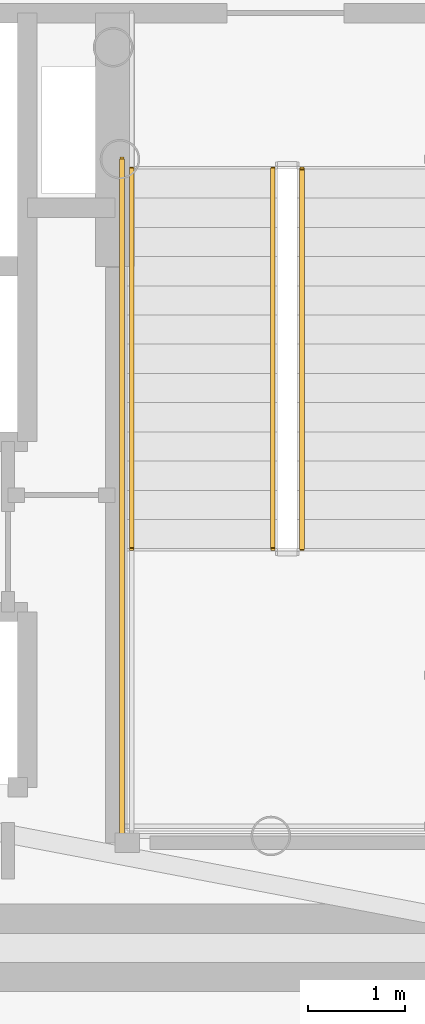
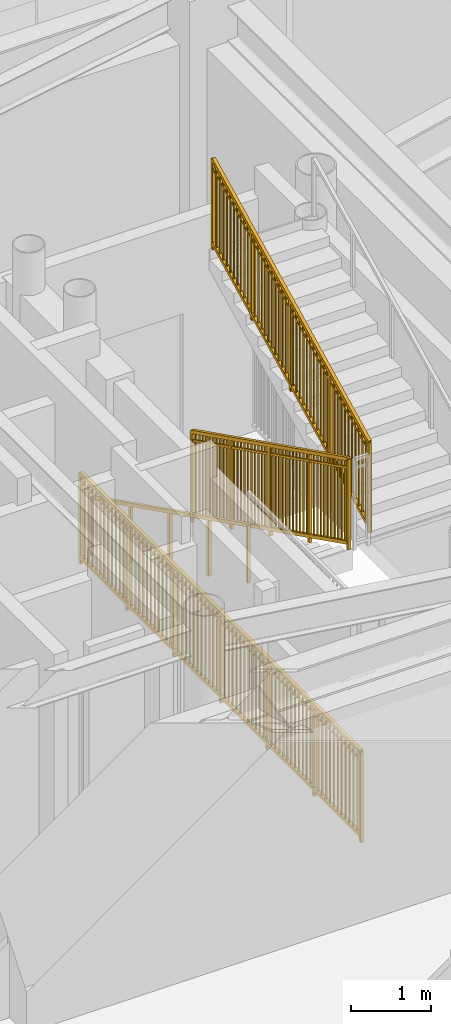
# One storey, part 18 of 20: 4 railings.
"""IFC4 building model written with IfcOpenShell, lengths in metres."""

from ifc_helpers import new_model, si_unit, direction, frame, origin, origin_2d, place, context, subcontext, project, spatial, rectangle, extrude, source, transform, mapped, material, type_object, element, save


model = new_model("IFC4")

# Units and contexts
model_context = context("Model", 3, precision=1e-05, world=origin(), true_north=direction((0.0, 1.0)))
body_context = subcontext(model_context, "Body", "Model", "MODEL_VIEW")
ifc_project = project(units=[si_unit("LENGTHUNIT", "METRE"), si_unit("AREAUNIT", "SQUARE_METRE"), si_unit("VOLUMEUNIT", "CUBIC_METRE"), si_unit("PLANEANGLEUNIT", "RADIAN"), si_unit("MASSUNIT", "GRAM", prefix="KILO")], contexts=[model_context])

# Site, building, storey
site_placement = place(None, origin())
site = spatial("IfcSite", under=ifc_project, at=site_placement, CompositionType="ELEMENT")
building_placement = place(site_placement, origin())
building = spatial("IfcBuilding", under=site, at=building_placement, Name="Linh Dai School and Residence Tower", CompositionType="ELEMENT")
storey_placement = place(building_placement, frame((0.0, 0.0, 66.0)))
storey = spatial("IfcBuildingStorey", under=building, at=storey_placement, Name="L15", CompositionType="ELEMENT", Elevation=66.0)

# Railings
ifc_material_1 = material(Name="Structural Steel S355JR", Category="steel")
railing_type_1 = type_object("IfcRailingType", Name="RL-ST-GUARD-1400", PredefinedType="GUARDRAIL", material=ifc_material_1)
shared_shape_1 = source(origin(), body_context, "Body", "SweptSolid", [
    extrude(rectangle(XDim=0.048095703125, YDim=0.048095703125, at=origin_2d()), frame((0.0, 0.0, 1.3759765625), z_axis=(0.0, -1.0, 0.0), x_axis=(1.0, 0.0, 0.0)), (0.0, 0.0, 1.0), 7.0),
    extrude(rectangle(XDim=0.048095703125, YDim=0.048095703125, at=origin_2d()), frame((0.0, 0.0, 0.10009765625), z_axis=(0.0, -1.0, 0.0), x_axis=(1.0, 0.0, 0.0)), (0.0, 0.0, 1.0), 7.0),
    extrude(rectangle(XDim=0.030029296875, YDim=0.030029296875, at=origin_2d()), frame((0.0, 0.0, 1.239990234375), z_axis=(0.0, -1.0, 0.0), x_axis=(1.0, 0.0, 0.0)), (0.0, 0.0, 1.0), 7.0),
    extrude(rectangle(XDim=0.02001953125, YDim=0.02001953125, at=origin_2d()), frame((0.0, -0.09716796875, 0.10009765625)), (0.0, 0.0, 1.0), 1.251708984375),
    extrude(rectangle(XDim=0.02001953125, YDim=0.02001953125, at=origin_2d()), frame((0.0, -0.1943359375, 0.10009765625)), (0.0, 0.0, 1.0), 1.251708984375),
    extrude(rectangle(XDim=0.02001953125, YDim=0.02001953125, at=origin_2d()), frame((0.0, -0.291748046875, 0.10009765625)), (0.0, 0.0, 1.0), 1.251708984375),
    extrude(rectangle(XDim=0.02001953125, YDim=0.02001953125, at=origin_2d()), frame((0.0, -0.388916015625, 0.10009765625)), (0.0, 0.0, 1.0), 1.251708984375),
    extrude(rectangle(XDim=0.02001953125, YDim=0.02001953125, at=origin_2d()), frame((0.0, -0.486083984375, 0.10009765625)), (0.0, 0.0, 1.0), 1.251708984375),
    extrude(rectangle(XDim=0.02001953125, YDim=0.02001953125, at=origin_2d()), frame((0.0, -0.583251953125, 0.10009765625)), (0.0, 0.0, 1.0), 1.251708984375),
    extrude(rectangle(XDim=0.02001953125, YDim=0.02001953125, at=origin_2d()), frame((0.0, -0.6806640625, 0.10009765625)), (0.0, 0.0, 1.0), 1.251708984375),
    extrude(rectangle(XDim=0.02001953125, YDim=0.02001953125, at=origin_2d()), frame((0.0, -0.77783203125, 0.10009765625)), (0.0, 0.0, 1.0), 1.251708984375),
    extrude(rectangle(XDim=0.02001953125, YDim=0.02001953125, at=origin_2d()), frame((0.0, -0.875, 0.10009765625)), (0.0, 0.0, 1.0), 1.251708984375),
    extrude(rectangle(XDim=0.02001953125, YDim=0.02001953125, at=origin_2d()), frame((0.0, -0.97216796875, 0.10009765625)), (0.0, 0.0, 1.0), 1.251708984375),
    extrude(rectangle(XDim=0.02001953125, YDim=0.02001953125, at=origin_2d()), frame((0.0, -1.0693359375, 0.10009765625)), (0.0, 0.0, 1.0), 1.251708984375),
    extrude(rectangle(XDim=0.02001953125, YDim=0.02001953125, at=origin_2d()), frame((0.0, -1.263916015625, 0.10009765625)), (0.0, 0.0, 1.0), 1.251708984375),
    extrude(rectangle(XDim=0.02001953125, YDim=0.02001953125, at=origin_2d()), frame((0.0, -1.361083984375, 0.10009765625)), (0.0, 0.0, 1.0), 1.251708984375),
    extrude(rectangle(XDim=0.02001953125, YDim=0.02001953125, at=origin_2d()), frame((0.0, -1.458251953125, 0.10009765625)), (0.0, 0.0, 1.0), 1.251708984375),
    extrude(rectangle(XDim=0.02001953125, YDim=0.02001953125, at=origin_2d()), frame((0.0, -1.5556640625, 0.10009765625)), (0.0, 0.0, 1.0), 1.251708984375),
    extrude(rectangle(XDim=0.02001953125, YDim=0.02001953125, at=origin_2d()), frame((0.0, -1.65283203125, 0.10009765625)), (0.0, 0.0, 1.0), 1.251708984375),
    extrude(rectangle(XDim=0.02001953125, YDim=0.02001953125, at=origin_2d()), frame((0.0, -1.75, 0.10009765625)), (0.0, 0.0, 1.0), 1.251708984375),
    extrude(rectangle(XDim=0.02001953125, YDim=0.02001953125, at=origin_2d()), frame((0.0, -1.84716796875, 0.10009765625)), (0.0, 0.0, 1.0), 1.251708984375),
    extrude(rectangle(XDim=0.02001953125, YDim=0.02001953125, at=origin_2d()), frame((0.0, -1.9443359375, 0.10009765625)), (0.0, 0.0, 1.0), 1.251708984375),
    extrude(rectangle(XDim=0.02001953125, YDim=0.02001953125, at=origin_2d()), frame((0.0, -2.041748046875, 0.10009765625)), (0.0, 0.0, 1.0), 1.251708984375),
    extrude(rectangle(XDim=0.02001953125, YDim=0.02001953125, at=origin_2d()), frame((0.0, -2.138916015625, 0.10009765625)), (0.0, 0.0, 1.0), 1.251708984375),
    extrude(rectangle(XDim=0.02001953125, YDim=0.02001953125, at=origin_2d()), frame((0.0, -2.236083984375, 0.10009765625)), (0.0, 0.0, 1.0), 1.251708984375),
    extrude(rectangle(XDim=0.02001953125, YDim=0.02001953125, at=origin_2d()), frame((0.0, -2.4306640625, 0.10009765625)), (0.0, 0.0, 1.0), 1.251708984375),
    extrude(rectangle(XDim=0.02001953125, YDim=0.02001953125, at=origin_2d()), frame((0.0, -2.52783203125, 0.10009765625)), (0.0, 0.0, 1.0), 1.251708984375),
    extrude(rectangle(XDim=0.02001953125, YDim=0.02001953125, at=origin_2d()), frame((0.0, -2.625, 0.10009765625)), (0.0, 0.0, 1.0), 1.251708984375),
    extrude(rectangle(XDim=0.02001953125, YDim=0.02001953125, at=origin_2d()), frame((0.0, -2.72216796875, 0.10009765625)), (0.0, 0.0, 1.0), 1.251708984375),
    extrude(rectangle(XDim=0.02001953125, YDim=0.02001953125, at=origin_2d()), frame((0.0, -2.8193359375, 0.10009765625)), (0.0, 0.0, 1.0), 1.251708984375),
    extrude(rectangle(XDim=0.02001953125, YDim=0.02001953125, at=origin_2d()), frame((0.0, -2.916748046875, 0.10009765625)), (0.0, 0.0, 1.0), 1.251708984375),
    extrude(rectangle(XDim=0.02001953125, YDim=0.02001953125, at=origin_2d()), frame((0.0, -3.013916015625, 0.10009765625)), (0.0, 0.0, 1.0), 1.251708984375),
    extrude(rectangle(XDim=0.02001953125, YDim=0.02001953125, at=origin_2d()), frame((0.0, -3.111083984375, 0.10009765625)), (0.0, 0.0, 1.0), 1.251708984375),
    extrude(rectangle(XDim=0.02001953125, YDim=0.02001953125, at=origin_2d()), frame((0.0, -3.208251953125, 0.10009765625)), (0.0, 0.0, 1.0), 1.251708984375),
    extrude(rectangle(XDim=0.02001953125, YDim=0.02001953125, at=origin_2d()), frame((0.0, -3.3056640625, 0.10009765625)), (0.0, 0.0, 1.0), 1.251708984375),
    extrude(rectangle(XDim=0.02001953125, YDim=0.02001953125, at=origin_2d()), frame((0.0, -3.40283203125, 0.10009765625)), (0.0, 0.0, 1.0), 1.251708984375),
    extrude(rectangle(XDim=0.02001953125, YDim=0.02001953125, at=origin_2d()), frame((0.0, -3.59716796875, 0.10009765625)), (0.0, 0.0, 1.0), 1.251708984375),
    extrude(rectangle(XDim=0.02001953125, YDim=0.02001953125, at=origin_2d()), frame((0.0, -3.6943359375, 0.10009765625)), (0.0, 0.0, 1.0), 1.251708984375),
    extrude(rectangle(XDim=0.02001953125, YDim=0.02001953125, at=origin_2d()), frame((0.0, -3.791748046875, 0.10009765625)), (0.0, 0.0, 1.0), 1.251708984375),
    extrude(rectangle(XDim=0.02001953125, YDim=0.02001953125, at=origin_2d()), frame((0.0, -3.888916015625, 0.10009765625)), (0.0, 0.0, 1.0), 1.251708984375),
    extrude(rectangle(XDim=0.02001953125, YDim=0.02001953125, at=origin_2d()), frame((0.0, -3.986083984375, 0.10009765625)), (0.0, 0.0, 1.0), 1.251708984375),
    extrude(rectangle(XDim=0.02001953125, YDim=0.02001953125, at=origin_2d()), frame((0.0, -4.083251953125, 0.10009765625)), (0.0, 0.0, 1.0), 1.251708984375),
    extrude(rectangle(XDim=0.02001953125, YDim=0.02001953125, at=origin_2d()), frame((0.0, -4.1806640625, 0.10009765625)), (0.0, 0.0, 1.0), 1.251708984375),
    extrude(rectangle(XDim=0.02001953125, YDim=0.02001953125, at=origin_2d()), frame((0.0, -4.27783203125, 0.10009765625)), (0.0, 0.0, 1.0), 1.251708984375),
    extrude(rectangle(XDim=0.02001953125, YDim=0.02001953125, at=origin_2d()), frame((0.0, -4.375, 0.10009765625)), (0.0, 0.0, 1.0), 1.251708984375),
    extrude(rectangle(XDim=0.02001953125, YDim=0.02001953125, at=origin_2d()), frame((0.0, -4.47216796875, 0.10009765625)), (0.0, 0.0, 1.0), 1.251708984375),
    extrude(rectangle(XDim=0.02001953125, YDim=0.02001953125, at=origin_2d()), frame((0.0, -4.5693359375, 0.10009765625)), (0.0, 0.0, 1.0), 1.251708984375),
    extrude(rectangle(XDim=0.02001953125, YDim=0.02001953125, at=origin_2d()), frame((0.0, -4.763916015625, 0.10009765625)), (0.0, 0.0, 1.0), 1.251708984375),
    extrude(rectangle(XDim=0.02001953125, YDim=0.02001953125, at=origin_2d()), frame((0.0, -4.861083984375, 0.10009765625)), (0.0, 0.0, 1.0), 1.251708984375),
    extrude(rectangle(XDim=0.02001953125, YDim=0.02001953125, at=origin_2d()), frame((0.0, -4.958251953125, 0.10009765625)), (0.0, 0.0, 1.0), 1.251708984375),
    extrude(rectangle(XDim=0.02001953125, YDim=0.02001953125, at=origin_2d()), frame((0.0, -5.0556640625, 0.10009765625)), (0.0, 0.0, 1.0), 1.251708984375),
    extrude(rectangle(XDim=0.02001953125, YDim=0.02001953125, at=origin_2d()), frame((0.0, -5.15283203125, 0.10009765625)), (0.0, 0.0, 1.0), 1.251708984375),
    extrude(rectangle(XDim=0.02001953125, YDim=0.02001953125, at=origin_2d()), frame((0.0, -5.25, 0.10009765625)), (0.0, 0.0, 1.0), 1.251708984375),
    extrude(rectangle(XDim=0.02001953125, YDim=0.02001953125, at=origin_2d()), frame((0.0, -5.34716796875, 0.10009765625)), (0.0, 0.0, 1.0), 1.251708984375),
    extrude(rectangle(XDim=0.02001953125, YDim=0.02001953125, at=origin_2d()), frame((0.0, -5.4443359375, 0.10009765625)), (0.0, 0.0, 1.0), 1.251708984375),
    extrude(rectangle(XDim=0.02001953125, YDim=0.02001953125, at=origin_2d()), frame((0.0, -5.541748046875, 0.10009765625)), (0.0, 0.0, 1.0), 1.251708984375),
    extrude(rectangle(XDim=0.02001953125, YDim=0.02001953125, at=origin_2d()), frame((0.0, -5.638916015625, 0.10009765625)), (0.0, 0.0, 1.0), 1.251708984375),
    extrude(rectangle(XDim=0.02001953125, YDim=0.02001953125, at=origin_2d()), frame((0.0, -5.736083984375, 0.10009765625)), (0.0, 0.0, 1.0), 1.251708984375),
    extrude(rectangle(XDim=0.02001953125, YDim=0.02001953125, at=origin_2d()), frame((0.0, -5.9306640625, 0.10009765625)), (0.0, 0.0, 1.0), 1.251708984375),
    extrude(rectangle(XDim=0.02001953125, YDim=0.02001953125, at=origin_2d()), frame((0.0, -6.02783203125, 0.10009765625)), (0.0, 0.0, 1.0), 1.251708984375),
    extrude(rectangle(XDim=0.02001953125, YDim=0.02001953125, at=origin_2d()), frame((0.0, -6.125, 0.10009765625)), (0.0, 0.0, 1.0), 1.251708984375),
    extrude(rectangle(XDim=0.02001953125, YDim=0.02001953125, at=origin_2d()), frame((0.0, -6.22216796875, 0.10009765625)), (0.0, 0.0, 1.0), 1.251708984375),
    extrude(rectangle(XDim=0.02001953125, YDim=0.02001953125, at=origin_2d()), frame((0.0, -6.3193359375, 0.10009765625)), (0.0, 0.0, 1.0), 1.251708984375),
    extrude(rectangle(XDim=0.02001953125, YDim=0.02001953125, at=origin_2d()), frame((0.0, -6.416748046875, 0.10009765625)), (0.0, 0.0, 1.0), 1.251708984375),
    extrude(rectangle(XDim=0.02001953125, YDim=0.02001953125, at=origin_2d()), frame((0.0, -6.513916015625, 0.10009765625)), (0.0, 0.0, 1.0), 1.251708984375),
    extrude(rectangle(XDim=0.02001953125, YDim=0.02001953125, at=origin_2d()), frame((0.0, -6.611083984375, 0.10009765625)), (0.0, 0.0, 1.0), 1.251708984375),
    extrude(rectangle(XDim=0.02001953125, YDim=0.02001953125, at=origin_2d()), frame((0.0, -6.708251953125, 0.10009765625)), (0.0, 0.0, 1.0), 1.251708984375),
    extrude(rectangle(XDim=0.02001953125, YDim=0.02001953125, at=origin_2d()), frame((0.0, -6.8056640625, 0.10009765625)), (0.0, 0.0, 1.0), 1.251708984375),
    extrude(rectangle(XDim=0.02001953125, YDim=0.02001953125, at=origin_2d()), frame((0.0, -6.90283203125, 0.10009765625)), (0.0, 0.0, 1.0), 1.251708984375),
    extrude(rectangle(XDim=0.0419921875, YDim=0.0419921875, at=origin_2d()), origin(), (0.0, 0.0, 1.0), 1.3759765625),
    extrude(rectangle(XDim=0.0419921875, YDim=0.0419921875, at=origin_2d()), frame((0.0, -1.166748046875, 0.0)), (0.0, 0.0, 1.0), 1.3759765625),
    extrude(rectangle(XDim=0.0419921875, YDim=0.0419921875, at=origin_2d()), frame((0.0, -2.333251953125, 0.0)), (0.0, 0.0, 1.0), 1.3759765625),
    extrude(rectangle(XDim=0.0419921875, YDim=0.0419921875, at=origin_2d()), frame((0.0, -3.5, 0.0)), (0.0, 0.0, 1.0), 1.3759765625),
    extrude(rectangle(XDim=0.0419921875, YDim=0.0419921875, at=origin_2d()), frame((0.0, -4.666748046875, 0.0)), (0.0, 0.0, 1.0), 1.3759765625),
    extrude(rectangle(XDim=0.0419921875, YDim=0.0419921875, at=origin_2d()), frame((0.0, -5.833251953125, 0.0)), (0.0, 0.0, 1.0), 1.3759765625),
    extrude(rectangle(XDim=0.0419921875, YDim=0.0419921875, at=origin_2d()), frame((0.0, -7.0, 0.0)), (0.0, 0.0, 1.0), 1.3759765625),
])
railing_1_placement = place(storey_placement, frame((40.969970703125, 28.35009765625, 0.0)))
element("IfcRailing", 1, at=railing_1_placement, inside=storey, type_object=railing_type_1, Name="L15 ST2 stair guard 10", PredefinedType="GUARDRAIL", context=body_context, shape_type="MappedRepresentation", body=[
    mapped(shared_shape_1, transform((0.0, 0.0, 0.0), x_axis=(1.0, 0.0, 0.0), y_axis=(0.0, 1.0, 0.0), z_axis=(0.0, 0.0, 1.0), scale=1.0)),
])
shared_shape_2 = source(origin(), body_context, "Body", "SweptSolid", [
    extrude(rectangle(XDim=0.048095703125, YDim=0.048095703125, at=origin_2d()), frame((0.0, 0.0, 1.3759765625), z_axis=(0.0, -0.894404793364, 0.447258387967), x_axis=(1.0, 0.0, 0.0)), (0.0, 0.0, 1.0), 4.3603515625),
    extrude(rectangle(XDim=0.048095703125, YDim=0.048095703125, at=origin_2d()), frame((0.0, 0.0, 0.10009765625), z_axis=(0.0, -0.894404793364, 0.447258387967), x_axis=(1.0, 0.0, 0.0)), (0.0, 0.0, 1.0), 4.3603515625),
    extrude(rectangle(XDim=0.030029296875, YDim=0.030029296875, at=origin_2d()), frame((0.0, 0.0, 1.239990234375), z_axis=(0.0, -0.894404793364, 0.447258387967), x_axis=(1.0, 0.0, 0.0)), (0.0, 0.0, 1.0), 4.3603515625),
    extrude(rectangle(XDim=0.02001953125, YDim=0.02001953125, at=origin_2d()), frame((0.0, -0.086669921875, 0.1435546875)), (0.0, 0.0, 1.0), 1.251708984375),
    extrude(rectangle(XDim=0.02001953125, YDim=0.02001953125, at=origin_2d()), frame((0.0, -0.17333984375, 0.186767578125)), (0.0, 0.0, 1.0), 1.251708984375),
    extrude(rectangle(XDim=0.02001953125, YDim=0.02001953125, at=origin_2d()), frame((0.0, -0.260009765625, 0.230224609375)), (0.0, 0.0, 1.0), 1.251708984375),
    extrude(rectangle(XDim=0.02001953125, YDim=0.02001953125, at=origin_2d()), frame((0.0, -0.3466796875, 0.2734375)), (0.0, 0.0, 1.0), 1.251708984375),
    extrude(rectangle(XDim=0.02001953125, YDim=0.02001953125, at=origin_2d()), frame((0.0, -0.433349609375, 0.31689453125)), (0.0, 0.0, 1.0), 1.251708984375),
    extrude(rectangle(XDim=0.02001953125, YDim=0.02001953125, at=origin_2d()), frame((0.0, -0.52001953125, 0.360107421875)), (0.0, 0.0, 1.0), 1.251708984375),
    extrude(rectangle(XDim=0.02001953125, YDim=0.02001953125, at=origin_2d()), frame((0.0, -0.606689453125, 0.403564453125)), (0.0, 0.0, 1.0), 1.251708984375),
    extrude(rectangle(XDim=0.02001953125, YDim=0.02001953125, at=origin_2d()), frame((0.0, -0.693359375, 0.44677734375)), (0.0, 0.0, 1.0), 1.251708984375),
    extrude(rectangle(XDim=0.02001953125, YDim=0.02001953125, at=origin_2d()), frame((0.0, -0.780029296875, 0.490234375)), (0.0, 0.0, 1.0), 1.251708984375),
    extrude(rectangle(XDim=0.02001953125, YDim=0.02001953125, at=origin_2d()), frame((0.0, -0.86669921875, 0.533447265625)), (0.0, 0.0, 1.0), 1.251708984375),
    extrude(rectangle(XDim=0.02001953125, YDim=0.02001953125, at=origin_2d()), frame((0.0, -1.0400390625, 0.6201171875)), (0.0, 0.0, 1.0), 1.251708984375),
    extrude(rectangle(XDim=0.02001953125, YDim=0.02001953125, at=origin_2d()), frame((0.0, -1.126708984375, 0.66357421875)), (0.0, 0.0, 1.0), 1.251708984375),
    extrude(rectangle(XDim=0.02001953125, YDim=0.02001953125, at=origin_2d()), frame((0.0, -1.21337890625, 0.706787109375)), (0.0, 0.0, 1.0), 1.251708984375),
    extrude(rectangle(XDim=0.02001953125, YDim=0.02001953125, at=origin_2d()), frame((0.0, -1.300048828125, 0.750244140625)), (0.0, 0.0, 1.0), 1.251708984375),
    extrude(rectangle(XDim=0.02001953125, YDim=0.02001953125, at=origin_2d()), frame((0.0, -1.38671875, 0.79345703125)), (0.0, 0.0, 1.0), 1.251708984375),
    extrude(rectangle(XDim=0.02001953125, YDim=0.02001953125, at=origin_2d()), frame((0.0, -1.473388671875, 0.8369140625)), (0.0, 0.0, 1.0), 1.251708984375),
    extrude(rectangle(XDim=0.02001953125, YDim=0.02001953125, at=origin_2d()), frame((0.0, -1.56005859375, 0.880126953125)), (0.0, 0.0, 1.0), 1.251708984375),
    extrude(rectangle(XDim=0.02001953125, YDim=0.02001953125, at=origin_2d()), frame((0.0, -1.646728515625, 0.923583984375)), (0.0, 0.0, 1.0), 1.251708984375),
    extrude(rectangle(XDim=0.02001953125, YDim=0.02001953125, at=origin_2d()), frame((0.0, -1.7333984375, 0.966796875)), (0.0, 0.0, 1.0), 1.251708984375),
    extrude(rectangle(XDim=0.02001953125, YDim=0.02001953125, at=origin_2d()), frame((0.0, -1.820068359375, 1.01025390625)), (0.0, 0.0, 1.0), 1.251708984375),
    extrude(rectangle(XDim=0.02001953125, YDim=0.02001953125, at=origin_2d()), frame((0.0, -1.90673828125, 1.053466796875)), (0.0, 0.0, 1.0), 1.251708984375),
    extrude(rectangle(XDim=0.02001953125, YDim=0.02001953125, at=origin_2d()), frame((0.0, -1.9931640625, 1.096923828125)), (0.0, 0.0, 1.0), 1.251708984375),
    extrude(rectangle(XDim=0.02001953125, YDim=0.02001953125, at=origin_2d()), frame((0.0, -2.079833984375, 1.14013671875)), (0.0, 0.0, 1.0), 1.251708984375),
    extrude(rectangle(XDim=0.02001953125, YDim=0.02001953125, at=origin_2d()), frame((0.0, -2.16650390625, 1.18359375)), (0.0, 0.0, 1.0), 1.251708984375),
    extrude(rectangle(XDim=0.02001953125, YDim=0.02001953125, at=origin_2d()), frame((0.0, -2.253173828125, 1.226806640625)), (0.0, 0.0, 1.0), 1.251708984375),
    extrude(rectangle(XDim=0.02001953125, YDim=0.02001953125, at=origin_2d()), frame((0.0, -2.33984375, 1.270263671875)), (0.0, 0.0, 1.0), 1.251708984375),
    extrude(rectangle(XDim=0.02001953125, YDim=0.02001953125, at=origin_2d()), frame((0.0, -2.426513671875, 1.3134765625)), (0.0, 0.0, 1.0), 1.251708984375),
    extrude(rectangle(XDim=0.02001953125, YDim=0.02001953125, at=origin_2d()), frame((0.0, -2.51318359375, 1.35693359375)), (0.0, 0.0, 1.0), 1.251708984375),
    extrude(rectangle(XDim=0.02001953125, YDim=0.02001953125, at=origin_2d()), frame((0.0, -2.599853515625, 1.400146484375)), (0.0, 0.0, 1.0), 1.251708984375),
    extrude(rectangle(XDim=0.02001953125, YDim=0.02001953125, at=origin_2d()), frame((0.0, -2.6865234375, 1.443603515625)), (0.0, 0.0, 1.0), 1.251708984375),
    extrude(rectangle(XDim=0.02001953125, YDim=0.02001953125, at=origin_2d()), frame((0.0, -2.773193359375, 1.48681640625)), (0.0, 0.0, 1.0), 1.251708984375),
    extrude(rectangle(XDim=0.02001953125, YDim=0.02001953125, at=origin_2d()), frame((0.0, -2.85986328125, 1.5302734375)), (0.0, 0.0, 1.0), 1.251708984375),
    extrude(rectangle(XDim=0.02001953125, YDim=0.02001953125, at=origin_2d()), frame((0.0, -3.033203125, 1.616943359375)), (0.0, 0.0, 1.0), 1.251708984375),
    extrude(rectangle(XDim=0.02001953125, YDim=0.02001953125, at=origin_2d()), frame((0.0, -3.119873046875, 1.66015625)), (0.0, 0.0, 1.0), 1.251708984375),
    extrude(rectangle(XDim=0.02001953125, YDim=0.02001953125, at=origin_2d()), frame((0.0, -3.20654296875, 1.70361328125)), (0.0, 0.0, 1.0), 1.251708984375),
    extrude(rectangle(XDim=0.02001953125, YDim=0.02001953125, at=origin_2d()), frame((0.0, -3.293212890625, 1.746826171875)), (0.0, 0.0, 1.0), 1.251708984375),
    extrude(rectangle(XDim=0.02001953125, YDim=0.02001953125, at=origin_2d()), frame((0.0, -3.3798828125, 1.790283203125)), (0.0, 0.0, 1.0), 1.251708984375),
    extrude(rectangle(XDim=0.02001953125, YDim=0.02001953125, at=origin_2d()), frame((0.0, -3.466552734375, 1.83349609375)), (0.0, 0.0, 1.0), 1.251708984375),
    extrude(rectangle(XDim=0.02001953125, YDim=0.02001953125, at=origin_2d()), frame((0.0, -3.55322265625, 1.876953125)), (0.0, 0.0, 1.0), 1.251708984375),
    extrude(rectangle(XDim=0.02001953125, YDim=0.02001953125, at=origin_2d()), frame((0.0, -3.639892578125, 1.920166015625)), (0.0, 0.0, 1.0), 1.251708984375),
    extrude(rectangle(XDim=0.02001953125, YDim=0.02001953125, at=origin_2d()), frame((0.0, -3.7265625, 1.963623046875)), (0.0, 0.0, 1.0), 1.251708984375),
    extrude(rectangle(XDim=0.02001953125, YDim=0.02001953125, at=origin_2d()), frame((0.0, -3.813232421875, 2.0068359375)), (0.0, 0.0, 1.0), 1.251708984375),
    extrude(rectangle(XDim=0.0419921875, YDim=0.0419921875, at=origin_2d()), origin(), (0.0, 0.0, 1.0), 1.3759765625),
    extrude(rectangle(XDim=0.0419921875, YDim=0.0419921875, at=origin_2d()), frame((0.0, -0.97509765625, 0.487548828125)), (0.0, 0.0, 1.0), 1.3759765625),
    extrude(rectangle(XDim=0.0419921875, YDim=0.0419921875, at=origin_2d()), frame((0.0, -1.949951171875, 0.97509765625)), (0.0, 0.0, 1.0), 1.3759765625),
    extrude(rectangle(XDim=0.0419921875, YDim=0.0419921875, at=origin_2d()), frame((0.0, -2.9248046875, 1.462646484375)), (0.0, 0.0, 1.0), 1.3759765625),
    extrude(rectangle(XDim=0.0419921875, YDim=0.0419921875, at=origin_2d()), frame((0.0, -3.89990234375, 1.9501953125)), (0.0, 0.0, 1.0), 1.3759765625),
])
railing_2_placement = place(storey_placement, frame((42.52001953125, 28.25, 0.14990234375)))
element("IfcRailing", 2, at=railing_2_placement, inside=storey, type_object=railing_type_1, Name="L15 ST2 stair guard 1", PredefinedType="GUARDRAIL", context=body_context, shape_type="MappedRepresentation", body=[
    mapped(shared_shape_2, transform((0.0, 0.0, 0.0), x_axis=(1.0, 0.0, 0.0), y_axis=(0.0, 1.0, 0.0), z_axis=(0.0, 0.0, 1.0), scale=1.0)),
])
shared_shape_3 = source(origin(), body_context, "Body", "SweptSolid", [
    extrude(rectangle(XDim=0.048095703125, YDim=0.048095703125, at=origin_2d()), frame((0.0, 0.0, 1.3759765625), z_axis=(0.0, 0.894427191, 0.4472135955), x_axis=(-1.0, 0.0, 0.0)), (0.0, 0.0, 1.0), 4.360107421875),
    extrude(rectangle(XDim=0.048095703125, YDim=0.048095703125, at=origin_2d()), frame((0.0, 0.0, 0.10009765625), z_axis=(0.0, 0.894427191, 0.4472135955), x_axis=(-1.0, 0.0, 0.0)), (0.0, 0.0, 1.0), 4.360107421875),
    extrude(rectangle(XDim=0.030029296875, YDim=0.030029296875, at=origin_2d()), frame((0.0, 0.0, 1.239990234375), z_axis=(0.0, 0.894427191, 0.4472135955), x_axis=(-1.0, 0.0, 0.0)), (0.0, 0.0, 1.0), 4.360107421875),
    extrude(rectangle(XDim=0.02001953125, YDim=0.02001953125, at=origin_2d()), frame((0.0, 0.086669921875, 0.143310546875)), (0.0, 0.0, 1.0), 1.251708984375),
    extrude(rectangle(XDim=0.02001953125, YDim=0.02001953125, at=origin_2d()), frame((0.0, 0.17333984375, 0.186767578125)), (0.0, 0.0, 1.0), 1.251708984375),
    extrude(rectangle(XDim=0.02001953125, YDim=0.02001953125, at=origin_2d()), frame((0.0, 0.260009765625, 0.22998046875)), (0.0, 0.0, 1.0), 1.251708984375),
    extrude(rectangle(XDim=0.02001953125, YDim=0.02001953125, at=origin_2d()), frame((0.0, 0.3466796875, 0.2734375)), (0.0, 0.0, 1.0), 1.251708984375),
    extrude(rectangle(XDim=0.02001953125, YDim=0.02001953125, at=origin_2d()), frame((0.0, 0.433349609375, 0.316650390625)), (0.0, 0.0, 1.0), 1.251708984375),
    extrude(rectangle(XDim=0.02001953125, YDim=0.02001953125, at=origin_2d()), frame((0.0, 0.52001953125, 0.360107421875)), (0.0, 0.0, 1.0), 1.251708984375),
    extrude(rectangle(XDim=0.02001953125, YDim=0.02001953125, at=origin_2d()), frame((0.0, 0.606689453125, 0.4033203125)), (0.0, 0.0, 1.0), 1.251708984375),
    extrude(rectangle(XDim=0.02001953125, YDim=0.02001953125, at=origin_2d()), frame((0.0, 0.693359375, 0.44677734375)), (0.0, 0.0, 1.0), 1.251708984375),
    extrude(rectangle(XDim=0.02001953125, YDim=0.02001953125, at=origin_2d()), frame((0.0, 0.780029296875, 0.489990234375)), (0.0, 0.0, 1.0), 1.251708984375),
    extrude(rectangle(XDim=0.02001953125, YDim=0.02001953125, at=origin_2d()), frame((0.0, 0.86669921875, 0.533447265625)), (0.0, 0.0, 1.0), 1.251708984375),
    extrude(rectangle(XDim=0.02001953125, YDim=0.02001953125, at=origin_2d()), frame((0.0, 1.0400390625, 0.6201171875)), (0.0, 0.0, 1.0), 1.251708984375),
    extrude(rectangle(XDim=0.02001953125, YDim=0.02001953125, at=origin_2d()), frame((0.0, 1.126708984375, 0.663330078125)), (0.0, 0.0, 1.0), 1.251708984375),
    extrude(rectangle(XDim=0.02001953125, YDim=0.02001953125, at=origin_2d()), frame((0.0, 1.21337890625, 0.706787109375)), (0.0, 0.0, 1.0), 1.251708984375),
    extrude(rectangle(XDim=0.02001953125, YDim=0.02001953125, at=origin_2d()), frame((0.0, 1.300048828125, 0.75)), (0.0, 0.0, 1.0), 1.251708984375),
    extrude(rectangle(XDim=0.02001953125, YDim=0.02001953125, at=origin_2d()), frame((0.0, 1.38671875, 0.79345703125)), (0.0, 0.0, 1.0), 1.251708984375),
    extrude(rectangle(XDim=0.02001953125, YDim=0.02001953125, at=origin_2d()), frame((0.0, 1.473388671875, 0.836669921875)), (0.0, 0.0, 1.0), 1.251708984375),
    extrude(rectangle(XDim=0.02001953125, YDim=0.02001953125, at=origin_2d()), frame((0.0, 1.56005859375, 0.880126953125)), (0.0, 0.0, 1.0), 1.251708984375),
    extrude(rectangle(XDim=0.02001953125, YDim=0.02001953125, at=origin_2d()), frame((0.0, 1.646728515625, 0.92333984375)), (0.0, 0.0, 1.0), 1.251708984375),
    extrude(rectangle(XDim=0.02001953125, YDim=0.02001953125, at=origin_2d()), frame((0.0, 1.7333984375, 0.966796875)), (0.0, 0.0, 1.0), 1.251708984375),
    extrude(rectangle(XDim=0.02001953125, YDim=0.02001953125, at=origin_2d()), frame((0.0, 1.820068359375, 1.010009765625)), (0.0, 0.0, 1.0), 1.251708984375),
    extrude(rectangle(XDim=0.02001953125, YDim=0.02001953125, at=origin_2d()), frame((0.0, 1.90673828125, 1.053466796875)), (0.0, 0.0, 1.0), 1.251708984375),
    extrude(rectangle(XDim=0.02001953125, YDim=0.02001953125, at=origin_2d()), frame((0.0, 1.9931640625, 1.0966796875)), (0.0, 0.0, 1.0), 1.251708984375),
    extrude(rectangle(XDim=0.02001953125, YDim=0.02001953125, at=origin_2d()), frame((0.0, 2.079833984375, 1.14013671875)), (0.0, 0.0, 1.0), 1.251708984375),
    extrude(rectangle(XDim=0.02001953125, YDim=0.02001953125, at=origin_2d()), frame((0.0, 2.16650390625, 1.183349609375)), (0.0, 0.0, 1.0), 1.251708984375),
    extrude(rectangle(XDim=0.02001953125, YDim=0.02001953125, at=origin_2d()), frame((0.0, 2.253173828125, 1.226806640625)), (0.0, 0.0, 1.0), 1.251708984375),
    extrude(rectangle(XDim=0.02001953125, YDim=0.02001953125, at=origin_2d()), frame((0.0, 2.33984375, 1.27001953125)), (0.0, 0.0, 1.0), 1.251708984375),
    extrude(rectangle(XDim=0.02001953125, YDim=0.02001953125, at=origin_2d()), frame((0.0, 2.426513671875, 1.3134765625)), (0.0, 0.0, 1.0), 1.251708984375),
    extrude(rectangle(XDim=0.02001953125, YDim=0.02001953125, at=origin_2d()), frame((0.0, 2.51318359375, 1.356689453125)), (0.0, 0.0, 1.0), 1.251708984375),
    extrude(rectangle(XDim=0.02001953125, YDim=0.02001953125, at=origin_2d()), frame((0.0, 2.599853515625, 1.400146484375)), (0.0, 0.0, 1.0), 1.251708984375),
    extrude(rectangle(XDim=0.02001953125, YDim=0.02001953125, at=origin_2d()), frame((0.0, 2.6865234375, 1.443359375)), (0.0, 0.0, 1.0), 1.251708984375),
    extrude(rectangle(XDim=0.02001953125, YDim=0.02001953125, at=origin_2d()), frame((0.0, 2.773193359375, 1.48681640625)), (0.0, 0.0, 1.0), 1.251708984375),
    extrude(rectangle(XDim=0.02001953125, YDim=0.02001953125, at=origin_2d()), frame((0.0, 2.85986328125, 1.530029296875)), (0.0, 0.0, 1.0), 1.251708984375),
    extrude(rectangle(XDim=0.02001953125, YDim=0.02001953125, at=origin_2d()), frame((0.0, 3.033203125, 1.61669921875)), (0.0, 0.0, 1.0), 1.251708984375),
    extrude(rectangle(XDim=0.02001953125, YDim=0.02001953125, at=origin_2d()), frame((0.0, 3.119873046875, 1.66015625)), (0.0, 0.0, 1.0), 1.251708984375),
    extrude(rectangle(XDim=0.02001953125, YDim=0.02001953125, at=origin_2d()), frame((0.0, 3.20654296875, 1.703369140625)), (0.0, 0.0, 1.0), 1.251708984375),
    extrude(rectangle(XDim=0.02001953125, YDim=0.02001953125, at=origin_2d()), frame((0.0, 3.293212890625, 1.746826171875)), (0.0, 0.0, 1.0), 1.251708984375),
    extrude(rectangle(XDim=0.02001953125, YDim=0.02001953125, at=origin_2d()), frame((0.0, 3.3798828125, 1.7900390625)), (0.0, 0.0, 1.0), 1.251708984375),
    extrude(rectangle(XDim=0.02001953125, YDim=0.02001953125, at=origin_2d()), frame((0.0, 3.466552734375, 1.83349609375)), (0.0, 0.0, 1.0), 1.251708984375),
    extrude(rectangle(XDim=0.02001953125, YDim=0.02001953125, at=origin_2d()), frame((0.0, 3.55322265625, 1.876708984375)), (0.0, 0.0, 1.0), 1.251708984375),
    extrude(rectangle(XDim=0.02001953125, YDim=0.02001953125, at=origin_2d()), frame((0.0, 3.639892578125, 1.920166015625)), (0.0, 0.0, 1.0), 1.251708984375),
    extrude(rectangle(XDim=0.02001953125, YDim=0.02001953125, at=origin_2d()), frame((0.0, 3.7265625, 1.96337890625)), (0.0, 0.0, 1.0), 1.251708984375),
    extrude(rectangle(XDim=0.02001953125, YDim=0.02001953125, at=origin_2d()), frame((0.0, 3.813232421875, 2.0068359375)), (0.0, 0.0, 1.0), 1.251708984375),
    extrude(rectangle(XDim=0.0419921875, YDim=0.0419921875, at=origin_2d()), origin(), (0.0, 0.0, 1.0), 1.3759765625),
    extrude(rectangle(XDim=0.0419921875, YDim=0.0419921875, at=origin_2d()), frame((0.0, 0.97509765625, 0.487548828125)), (0.0, 0.0, 1.0), 1.3759765625),
    extrude(rectangle(XDim=0.0419921875, YDim=0.0419921875, at=origin_2d()), frame((0.0, 1.949951171875, 0.97509765625)), (0.0, 0.0, 1.0), 1.3759765625),
    extrude(rectangle(XDim=0.0419921875, YDim=0.0419921875, at=origin_2d()), frame((0.0, 2.9248046875, 1.46240234375)), (0.0, 0.0, 1.0), 1.3759765625),
    extrude(rectangle(XDim=0.0419921875, YDim=0.0419921875, at=origin_2d()), frame((0.0, 3.89990234375, 1.949951171875)), (0.0, 0.0, 1.0), 1.3759765625),
])
railing_3_placement = place(storey_placement, frame((42.820068359375, 24.35009765625, 2.25)))
element("IfcRailing", 3, at=railing_3_placement, inside=storey, type_object=railing_type_1, Name="L15 ST2 stair guard 6", PredefinedType="GUARDRAIL", context=body_context, shape_type="MappedRepresentation", body=[
    mapped(shared_shape_3, transform((0.0, 0.0, 0.0), x_axis=(1.0, 0.0, 0.0), y_axis=(0.0, 1.0, 0.0), z_axis=(0.0, 0.0, 1.0), scale=1.0)),
])
ifc_material_2 = material(Name="Brushed Stainless Steel Handrail", Category="steel")
railing_type_2 = type_object("IfcRailingType", Name="RL-ST-HANDRAIL-900", PredefinedType="HANDRAIL", material=ifc_material_2)
shared_shape_4 = source(origin(), body_context, "Body", "SweptSolid", [
    extrude(rectangle(XDim=0.048095703125, YDim=0.048095703125, at=origin_2d()), frame((0.0, 0.0, 0.8759765625), z_axis=(0.0, -0.894404793364, 0.447258387967), x_axis=(1.0, 0.0, 0.0)), (0.0, 0.0, 1.0), 4.3603515625),
    extrude(rectangle(XDim=0.0419921875, YDim=0.0419921875, at=origin_2d()), origin(), (0.0, 0.0, 1.0), 0.8759765625),
    extrude(rectangle(XDim=0.0419921875, YDim=0.0419921875, at=origin_2d()), frame((0.0, -0.97509765625, 0.487548828125)), (0.0, 0.0, 1.0), 0.8759765625),
    extrude(rectangle(XDim=0.0419921875, YDim=0.0419921875, at=origin_2d()), frame((0.0, -1.949951171875, 0.97509765625)), (0.0, 0.0, 1.0), 0.8759765625),
    extrude(rectangle(XDim=0.0419921875, YDim=0.0419921875, at=origin_2d()), frame((0.0, -2.9248046875, 1.462646484375)), (0.0, 0.0, 1.0), 0.8759765625),
    extrude(rectangle(XDim=0.0419921875, YDim=0.0419921875, at=origin_2d()), frame((0.0, -3.89990234375, 1.9501953125)), (0.0, 0.0, 1.0), 0.8759765625),
])
railing_4_placement = place(storey_placement, frame((41.070068359375, 28.25, 0.14990234375)))
element("IfcRailing", 4, at=railing_4_placement, inside=storey, type_object=railing_type_2, Name="L15 ST2 stair handrail 1", PredefinedType="HANDRAIL", context=body_context, shape_type="MappedRepresentation", body=[
    mapped(shared_shape_4, transform((0.0, 0.0, 0.0), x_axis=(1.0, 0.0, 0.0), y_axis=(0.0, 1.0, 0.0), z_axis=(0.0, 0.0, 1.0), scale=1.0)),
])

save(model, "model.ifc")
